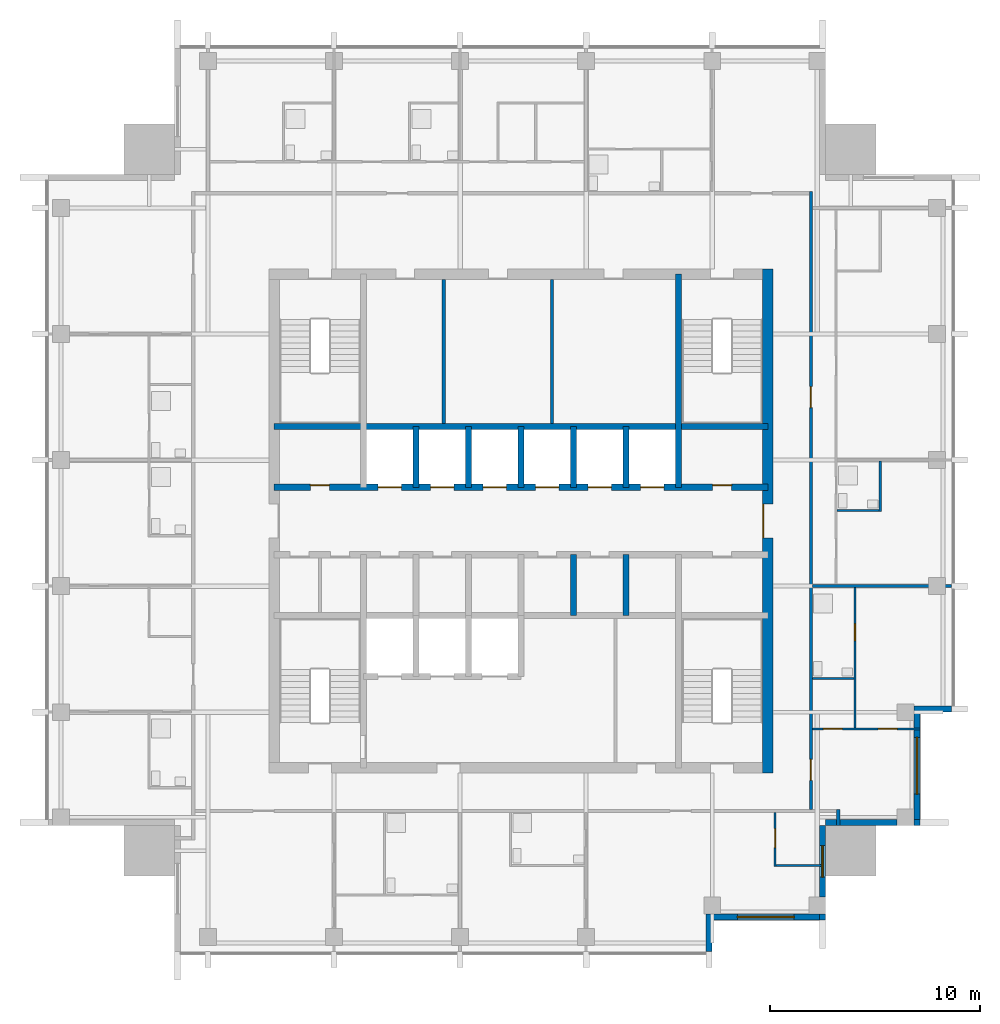
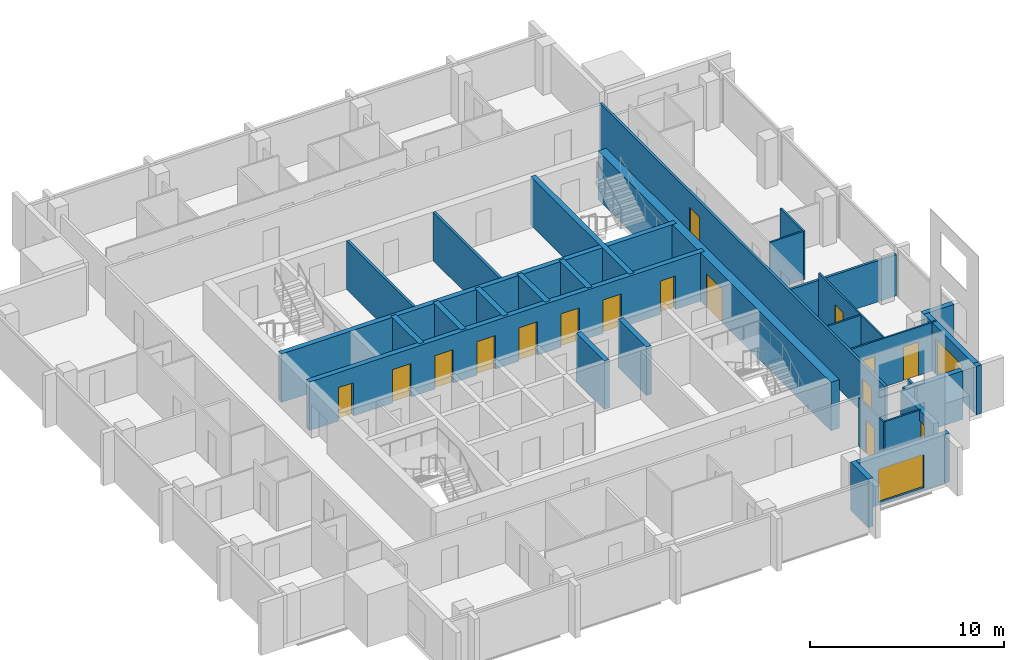
# One storey, part 5 of 9: 31 walls, 15 doors, 3 windows, 18 openings.
"""IFC4 building model written with IfcOpenShell, lengths in metres."""

import ifcopenshell
import ifcopenshell.guid

model = None  # the IFC model being written
_history = None  # IfcOwnerHistory: only IFC2X3 demands one
_inside = {}  # id of a spatial element -> (the spatial element, [elements in it])
_under = {}  # id of a project, library or spatial element -> (it, [spatial elements below it])
_declared = {}  # id of a project -> (the project, [libraries it declares])
_typed = {}  # id of a type object -> (the type object, [elements of that type])
_made_of = {}  # id of a material, layer set ... -> (it, [elements and type objects made of it])


def new_model(schema):
    """Start an empty IFC model of exactly this schema.

    Asked for "IFC4X3", IfcOpenShell would pick the latest addendum, in which some entities
    have other attributes; the version numbers below select the first issue.
    IFC2X3 requires an IfcOwnerHistory on every rooted entity: one is made here for all.
    """
    global model, _history
    if schema == "IFC4X3":
        model = ifcopenshell.file(schema_version=(4, 3, 0, 0))
    else:
        model = ifcopenshell.file(schema=schema)
    _inside.clear()
    _under.clear()
    _declared.clear()
    _typed.clear()
    _made_of.clear()
    _history = None
    if model.schema == "IFC2X3":
        org = make("IfcOrganization", Name="unknown")
        user = make(
            "IfcPersonAndOrganization",
            ThePerson=make("IfcPerson", FamilyName="unknown"),
            TheOrganization=org,
        )
        app = make(
            "IfcApplication",
            ApplicationDeveloper=org,
            Version="unknown",
            ApplicationFullName="unknown",
            ApplicationIdentifier="unknown",
        )
        _history = make(
            "IfcOwnerHistory",
            OwningUser=user,
            OwningApplication=app,
            ChangeAction="ADDED",
            CreationDate=0,
        )
    return model


def make(cls, **values):
    """One entity of the class cls with the attributes given. An attribute that is None is left unset."""
    return model.create_entity(
        cls, **{name: value for name, value in values.items() if value is not None}
    )


def rooted(cls, **values):
    """An entity with a GlobalId (a new one), such as an element, a storey or a relation."""
    return make(cls, GlobalId=ifcopenshell.guid.new(), OwnerHistory=_history, **values)


def si_unit(unit_type, name, prefix=None):
    """IfcSIUnit, for example si_unit("LENGTHUNIT", "METRE", prefix="MILLI")."""
    return make("IfcSIUnit", UnitType=unit_type, Prefix=prefix, Name=name)


def assignment(units):
    """IfcUnitAssignment: the units of a project."""
    return None if units is None else make("IfcUnitAssignment", Units=units)


def point(xyz):
    """IfcCartesianPoint."""
    return None if xyz is None else make("IfcCartesianPoint", Coordinates=xyz)


def direction(xyz):
    """IfcDirection."""
    return None if xyz is None else make("IfcDirection", DirectionRatios=xyz)


def frame(location, z_axis=None, x_axis=None):
    """IfcAxis2Placement3D, a coordinate frame: its origin and axes. An axis left out is left unset."""
    return make(
        "IfcAxis2Placement3D",
        Location=point(location),
        Axis=direction(z_axis),
        RefDirection=direction(x_axis),
    )


def frame_2d(location, x_axis=None):
    """IfcAxis2Placement2D, a coordinate frame in the plane: its origin and x axis."""
    return make(
        "IfcAxis2Placement2D", Location=point(location), RefDirection=direction(x_axis)
    )


def origin():
    """The frame at (0, 0, 0) with its axes left unset."""
    return frame((0.0, 0.0, 0.0))


def place(relative_to, where):
    """IfcLocalPlacement: puts the frame where relative to a parent placement (None: the world)."""
    return make(
        "IfcLocalPlacement", PlacementRelTo=relative_to, RelativePlacement=where
    )


def context(
    kind, dimensions, precision=None, world=None, true_north=None, identifier=None
):
    """IfcGeometricRepresentationContext, for example the 3D "Model" context."""
    return make(
        "IfcGeometricRepresentationContext",
        ContextIdentifier=identifier,
        ContextType=kind,
        CoordinateSpaceDimension=dimensions,
        Precision=precision,
        WorldCoordinateSystem=world,
        TrueNorth=true_north,
    )


def subcontext(parent, identifier, kind, view, scale=None):
    """IfcGeometricRepresentationSubContext, for example "Body" below "Model"."""
    return make(
        "IfcGeometricRepresentationSubContext",
        ContextIdentifier=identifier,
        ContextType=kind,
        ParentContext=parent,
        TargetScale=scale,
        TargetView=view,
    )


def project(units=None, contexts=None):
    """IfcProject with its units and contexts."""
    return rooted(
        "IfcProject",
        Name="project",
        RepresentationContexts=contexts,
        UnitsInContext=assignment(units),
    )


def spatial(cls, under=None, at=None, **own):
    """A site, building, storey or space (cls), placed at a placement, below another one or the project."""
    s = rooted(cls, ObjectPlacement=at, **own)
    if under is not None:
        _under.setdefault(under.id(), (under, []))[1].append(s)
    return s


def profile(cls, at=None, kind="AREA", **sizes):
    """A parametric profile (cls). Its sizes go by their IFC names, for example OverallWidth=200.0."""
    return make(cls, ProfileType=kind, Position=at, **sizes)


def rectangle(**sizes):
    """IfcRectangleProfileDef."""
    return profile("IfcRectangleProfileDef", **sizes)


def extrude(swept, where, along, depth):
    """IfcExtrudedAreaSolid: the profile swept, set in the frame where, extruded along a direction by depth."""
    return make(
        "IfcExtrudedAreaSolid",
        SweptArea=swept,
        Position=where,
        ExtrudedDirection=direction(along),
        Depth=depth,
    )


def shape(context_of_items, identifier, shape_type, items):
    """IfcShapeRepresentation: the items that make up one representation, for example the "Body"."""
    return make(
        "IfcShapeRepresentation",
        ContextOfItems=context_of_items,
        RepresentationIdentifier=identifier,
        RepresentationType=shape_type,
        Items=items,
    )


def material(Name=None, Category=None):
    """IfcMaterial."""
    return make("IfcMaterial", Name=Name, Category=Category)


def layer(
    of_material, thickness, ventilated=None, Name=None, Category=None, Priority=None
):
    """IfcMaterialLayer: one layer of a wall or slab, of a material (None: an air gap)."""
    return make(
        "IfcMaterialLayer",
        Material=of_material,
        LayerThickness=thickness,
        IsVentilated=ventilated,
        Name=Name,
        Category=Category,
        Priority=Priority,
    )


def layer_set(layers, Name=None):
    """IfcMaterialLayerSet."""
    return make("IfcMaterialLayerSet", MaterialLayers=layers, LayerSetName=Name)


def made_of(thing, what):
    """Note that an element or type object is made of a material, layer set ...; save() writes the relation."""
    if what is not None:
        _made_of.setdefault(what.id(), (what, []))[1].append(thing)
    return thing


def type_object(cls, material=None, **own):
    """A type object (cls), such as IfcWallType, which elements share."""
    return made_of(rooted(cls, **own), material)


def element(
    cls,
    number,
    at=None,
    inside=None,
    cuts=None,
    type_object=None,
    material=None,
    context=None,
    identifier="Body",
    shape_type=None,
    held_by="IfcProductDefinitionShape",
    body=None,
    shapes=None,
    **own,
):
    """One element of the class cls, such as IfcWall. Its Tag is "e" and its number.

    at: its placement. inside: the storey or other place that contains it. cuts: it is an
    opening in that element (IfcRelVoidsElement). A single representation is given by context,
    identifier, shape_type and body (its items); several are given by shapes. held_by: the class
    of the entity that holds the representations. save() writes the other relations.
    """
    e = rooted(cls, Tag="e%d" % number, ObjectPlacement=at, **own)
    if body is not None:
        shapes = [shape(context, identifier, shape_type, body)]
    if shapes is not None:
        e.Representation = make(held_by, Representations=shapes)
    if inside is not None:
        _inside.setdefault(inside.id(), (inside, []))[1].append(e)
    if cuts is not None:
        rooted(
            "IfcRelVoidsElement", RelatingBuildingElement=cuts, RelatedOpeningElement=e
        )
    if type_object is not None:
        _typed.setdefault(type_object.id(), (type_object, []))[1].append(e)
    return made_of(e, material)


def fill(opening, filler):
    """IfcRelFillsElement: the door or window that sits in an opening."""
    return rooted(
        "IfcRelFillsElement",
        RelatingOpeningElement=opening,
        RelatedBuildingElement=filler,
    )


def aggregate(whole, parts):
    """IfcRelAggregates: a whole, such as a stair, and the parts it consists of."""
    return rooted("IfcRelAggregates", RelatingObject=whole, RelatedObjects=parts)


def save(model, path):
    """Write the relations noted so far, then the file.

    IfcRelAggregates (storeys below a building ...), IfcRelContainedInSpatialStructure (elements
    in a storey), IfcRelDefinesByType, IfcRelAssociatesMaterial and IfcRelDeclares: one each for
    every whole, place, type object, material and project.
    """
    for whole, parts in _under.values():
        aggregate(whole, parts)
    for where, things in _inside.values():
        rooted(
            "IfcRelContainedInSpatialStructure",
            RelatedElements=things,
            RelatingStructure=where,
        )
    for kind, things in _typed.values():
        rooted("IfcRelDefinesByType", RelatedObjects=things, RelatingType=kind)
    for what, things in _made_of.values():
        rooted("IfcRelAssociatesMaterial", RelatedObjects=things, RelatingMaterial=what)
    for by, libraries in _declared.values():
        rooted("IfcRelDeclares", RelatingContext=by, RelatedDefinitions=libraries)
    model.write(path)


model = new_model("IFC4")

# Units and contexts
model_context = context("Model", 3, precision=1e-05, world=origin(), true_north=direction((0.0, 1.0)))
body_context = subcontext(model_context, "Body", "Model", "MODEL_VIEW")
ifc_project = project(units=[si_unit("LENGTHUNIT", "METRE"), si_unit("AREAUNIT", "SQUARE_METRE"), si_unit("VOLUMEUNIT", "CUBIC_METRE"), si_unit("PLANEANGLEUNIT", "RADIAN"), si_unit("MASSUNIT", "GRAM", prefix="KILO")], contexts=[model_context])

# Site, building, storey
site_placement = place(None, origin())
site = spatial("IfcSite", under=ifc_project, at=site_placement, CompositionType="ELEMENT")
building_placement = place(site_placement, origin())
building = spatial("IfcBuilding", under=site, at=building_placement, Name="Amberfall Residences", CompositionType="ELEMENT")
storey_placement = place(building_placement, frame((0.0, 0.0, 248.800048828125)))
storey = spatial("IfcBuildingStorey", under=building, at=storey_placement, Name="L66", CompositionType="ELEMENT", Elevation=248.800048828125)

# Walls
ifc_material_1 = material(Name="Pale stone cladding on insulated backing", Category="masonry")
ifc_layer_1 = layer(ifc_material_1, 0.300048828125)
ifc_layer_set_1 = layer_set([ifc_layer_1], Name="Bronze clad wall 300")
wall_type_1 = type_object("IfcWallType", Name="Bronze clad wall 300", PredefinedType="SOLIDWALL", material=ifc_layer_set_1)
wall_1_placement = place(storey_placement, frame((83.449951171875, 25.0, 0.0), z_axis=(0.0, 0.0, 1.0), x_axis=(0.0, 1.0, 0.0)))
element("IfcWall", 1, at=wall_1_placement, inside=storey, type_object=wall_type_1, Name="External wall L66 S", PredefinedType="SOLIDWALL", context=body_context, shape_type="SweptSolid", body=[
    extrude(rectangle(XDim=1.800048828125, YDim=0.300048828125, at=frame_2d((0.89990234375, 0.0))), origin(), (0.0, 0.0, 1.0), 3.050048828125),
])
wall_2_placement = place(storey_placement, frame((88.85009765625, 26.5, 0.0), z_axis=(0.0, 0.0, 1.0), x_axis=(0.0, 1.0, 0.0)))
element("IfcWall", 2, at=wall_2_placement, inside=storey, type_object=wall_type_1, Name="External wall L66 SE", PredefinedType="SOLIDWALL", context=body_context, shape_type="SweptSolid", body=[
    extrude(rectangle(XDim=0.300048828125, YDim=0.300048828125, at=frame_2d((0.14990234375, 0.0))), origin(), (0.0, 0.0, 1.0), 3.050048828125),
])

# Wall, opening, window
wall_3_placement = place(storey_placement, frame((88.85009765625, 27.60009765625, 0.0), z_axis=(0.0, 0.0, 1.0), x_axis=(0.0, 1.0, 0.0)))
wall_3 = element("IfcWall", 3, at=wall_3_placement, inside=storey, type_object=wall_type_1, Name="External wall L66 SE", PredefinedType="SOLIDWALL", context=body_context, shape_type="SweptSolid", body=[
    extrude(rectangle(XDim=3.39990234375, YDim=0.300048828125, at=frame_2d((1.699951171875, 0.0))), origin(), (0.0, 0.0, 1.0), 3.050048828125),
])
opening_1_placement = place(wall_3_placement, frame((0.949951171875, 0.0, 0.89990234375)))
opening_1 = element("IfcOpeningElement", 4, at=opening_1_placement, cuts=wall_3, Name="Opening WN1", PredefinedType="OPENING", context=body_context, shape_type="SweptSolid", body=[
    extrude(rectangle(XDim=1.5, YDim=1.5, at=frame_2d((0.75, 0.75))), frame((0.0, 0.159912109375, 0.0), z_axis=(0.0, -1.0, 0.0), x_axis=(1.0, 0.0, 0.0)), (0.0, 0.0, 1.0), 0.320068359375),
])
ifc_material_2 = material(Name="Bronze aluminium framed glazing", Category="aluminium")
window_type_1 = type_object("IfcWindowType", Name="Window 1500 x 1500 bronze", PartitioningType="DOUBLE_PANEL_VERTICAL", PredefinedType="WINDOW", material=ifc_material_2)
window_1_placement = place(opening_1_placement, origin())
window_1 = element("IfcWindow", 5, at=window_1_placement, inside=storey, type_object=window_type_1, Name="Window L66 SE", OverallHeight=1.5, OverallWidth=1.5, PartitioningType="DOUBLE_PANEL_VERTICAL", PredefinedType="WINDOW", context=body_context, shape_type="SweptSolid", body=[
    extrude(rectangle(XDim=1.5, YDim=1.5, at=frame_2d((0.75, 0.75))), frame((0.0, 0.030029296875, 0.0), z_axis=(0.0, -1.0, 0.0), x_axis=(1.0, 0.0, 0.0)), (0.0, 0.0, 1.0), 0.06005859375),
])
fill(opening_1, window_1)

# Walls
wall_4_placement = place(storey_placement, frame((89.0, 31.14990234375, 0.0), z_axis=(0.0, 0.0, 1.0), x_axis=(1.0, 0.0, 0.0)))
element("IfcWall", 6, at=wall_4_placement, inside=storey, type_object=wall_type_1, Name="External wall L66 SE", PredefinedType="SOLIDWALL", context=body_context, shape_type="SweptSolid", body=[
    extrude(rectangle(XDim=3.39990234375, YDim=0.300048828125, at=frame_2d((1.699951171875, 0.0))), origin(), (0.0, 0.0, 1.0), 3.050048828125),
])
wall_5_placement = place(storey_placement, frame((93.199951171875, 31.14990234375, 0.0), z_axis=(0.0, 0.0, 1.0), x_axis=(1.0, 0.0, 0.0)))
element("IfcWall", 7, at=wall_5_placement, inside=storey, type_object=wall_type_1, Name="External wall L66 SE", PredefinedType="SOLIDWALL", context=body_context, shape_type="SweptSolid", body=[
    extrude(rectangle(XDim=0.300048828125, YDim=0.300048828125, at=frame_2d((0.14990234375, 0.0))), origin(), (0.0, 0.0, 1.0), 3.050048828125),
])
wall_6_placement = place(storey_placement, frame((93.199951171875, 36.550048828125, 0.0), z_axis=(0.0, 0.0, 1.0), x_axis=(1.0, 0.0, 0.0)))
element("IfcWall", 8, at=wall_6_placement, inside=storey, type_object=wall_type_1, Name="External wall L66 E", PredefinedType="SOLIDWALL", context=body_context, shape_type="SweptSolid", body=[
    extrude(rectangle(XDim=1.800048828125, YDim=0.300048828125, at=frame_2d((0.89990234375, 0.0))), origin(), (0.0, 0.0, 1.0), 3.050048828125),
])

# Wall, opening, window
wall_7_placement = place(storey_placement, frame((83.60009765625, 26.64990234375, 0.0), z_axis=(0.0, 0.0, 1.0), x_axis=(1.0, 0.0, 0.0)))
wall_7 = element("IfcWall", 9, at=wall_7_placement, inside=storey, type_object=wall_type_1, Name="Stone wall L66 S", PredefinedType="SOLIDWALL", context=body_context, shape_type="SweptSolid", body=[
    extrude(rectangle(XDim=5.099853515625, YDim=0.300048828125, at=frame_2d((2.5498046875, 0.0))), origin(), (0.0, 0.0, 1.0), 3.050048828125),
])
opening_2_placement = place(wall_7_placement, frame((1.199951171875, 0.0, 0.14990234375)))
opening_2 = element("IfcOpeningElement", 10, at=opening_2_placement, cuts=wall_7, Name="Opening WN4", PredefinedType="OPENING", context=body_context, shape_type="SweptSolid", body=[
    extrude(rectangle(XDim=2.699951171875, YDim=2.10009765625, at=frame_2d((1.35009765625, 1.050048828125))), frame((0.0, 0.159912109375, 0.0), z_axis=(0.0, -1.0, 0.0), x_axis=(1.0, 0.0, 0.0)), (0.0, 0.0, 1.0), 0.320068359375),
])
window_type_2 = type_object("IfcWindowType", Name="Glazed opening 2700 x 2100 bronze", PartitioningType="DOUBLE_PANEL_VERTICAL", PredefinedType="WINDOW", material=ifc_material_2)
window_2_placement = place(opening_2_placement, origin())
window_2 = element("IfcWindow", 11, at=window_2_placement, inside=storey, type_object=window_type_2, Name="Window L66 S", OverallHeight=2.10009765625, OverallWidth=2.699951171875, PartitioningType="DOUBLE_PANEL_VERTICAL", PredefinedType="WINDOW", context=body_context, shape_type="SweptSolid", body=[
    extrude(rectangle(XDim=2.699951171875, YDim=2.10009765625, at=frame_2d((1.35009765625, 1.050048828125))), frame((0.0, 0.030029296875, 0.0), z_axis=(0.0, -1.0, 0.0), x_axis=(1.0, 0.0, 0.0)), (0.0, 0.0, 1.0), 0.06005859375),
])
fill(opening_2, window_2)

wall_8_placement = place(storey_placement, frame((93.35009765625, 31.300048828125, 0.0), z_axis=(0.0, 0.0, 1.0), x_axis=(0.0, 1.0, 0.0)))
wall_8 = element("IfcWall", 12, at=wall_8_placement, inside=storey, type_object=wall_type_1, Name="Stone wall L66 E", PredefinedType="SOLIDWALL", context=body_context, shape_type="SweptSolid", body=[
    extrude(rectangle(XDim=5.099853515625, YDim=0.300048828125, at=frame_2d((2.5498046875, 0.0))), origin(), (0.0, 0.0, 1.0), 3.050048828125),
])
opening_3_placement = place(wall_8_placement, frame((1.199951171875, 0.0, 0.14990234375)))
opening_3 = element("IfcOpeningElement", 13, at=opening_3_placement, cuts=wall_8, Name="Opening WN4", PredefinedType="OPENING", context=body_context, shape_type="SweptSolid", body=[
    extrude(rectangle(XDim=2.699951171875, YDim=2.10009765625, at=frame_2d((1.35009765625, 1.050048828125))), frame((0.0, 0.159912109375, 0.0), z_axis=(0.0, -1.0, 0.0), x_axis=(1.0, 0.0, 0.0)), (0.0, 0.0, 1.0), 0.320068359375),
])
window_3_placement = place(opening_3_placement, origin())
window_3 = element("IfcWindow", 14, at=window_3_placement, inside=storey, type_object=window_type_2, Name="Window L66 E", OverallHeight=2.10009765625, OverallWidth=2.699951171875, PartitioningType="DOUBLE_PANEL_VERTICAL", PredefinedType="WINDOW", context=body_context, shape_type="SweptSolid", body=[
    extrude(rectangle(XDim=2.699951171875, YDim=2.10009765625, at=frame_2d((1.35009765625, 1.050048828125))), frame((0.0, 0.030029296875, 0.0), z_axis=(0.0, -1.0, 0.0), x_axis=(1.0, 0.0, 0.0)), (0.0, 0.0, 1.0), 0.06005859375),
])
fill(opening_3, window_3)

# Wall, openings, doors
ifc_material_3 = material(Name="Concrete C50", Category="concrete")
ifc_layer_2 = layer(ifc_material_3, 0.300048828125)
ifc_layer_set_2 = layer_set([ifc_layer_2], Name="Core wall 300 C50")
wall_type_2 = type_object("IfcWallType", Name="Core wall 300 C50", PredefinedType="SHEAR", material=ifc_layer_set_2)
wall_9_placement = place(storey_placement, frame((62.75, 47.10009765625, 0.0), z_axis=(0.0, 0.0, 1.0), x_axis=(1.0, 0.0, 0.0)))
wall_9 = element("IfcWall", 15, at=wall_9_placement, inside=storey, type_object=wall_type_2, Name="Core wall RW10 L66 H136", PredefinedType="SHEAR", context=body_context, shape_type="SweptSolid", body=[
    extrude(rectangle(XDim=23.5, YDim=0.300048828125, at=frame_2d((11.75, 0.0))), origin(), (0.0, 0.0, 1.0), 3.050048828125),
])
opening_4_placement = place(wall_9_placement, frame((1.72509765625, 0.0, 0.0)))
opening_4 = element("IfcOpeningElement", 16, at=opening_4_placement, cuts=wall_9, Name="Opening RD1", PredefinedType="OPENING", context=body_context, shape_type="SweptSolid", body=[
    extrude(rectangle(XDim=0.89990234375, YDim=2.10009765625, at=frame_2d((0.449951171875, 1.050048828125))), frame((0.0, 0.159912109375, 0.0), z_axis=(0.0, -1.0, 0.0), x_axis=(1.0, 0.0, 0.0)), (0.0, 0.0, 1.0), 0.320068359375),
])
opening_5_placement = place(wall_9_placement, frame((20.875, 0.0, 0.0)))
opening_5 = element("IfcOpeningElement", 17, at=opening_5_placement, cuts=wall_9, Name="Opening RD1", PredefinedType="OPENING", context=body_context, shape_type="SweptSolid", body=[
    extrude(rectangle(XDim=0.89990234375, YDim=2.10009765625, at=frame_2d((0.449951171875, 1.050048828125))), frame((0.0, 0.159912109375, 0.0), z_axis=(0.0, -1.0, 0.0), x_axis=(1.0, 0.0, 0.0)), (0.0, 0.0, 1.0), 0.320068359375),
])
opening_6_placement = place(wall_9_placement, frame((4.949951171875, 0.0, 0.0)))
opening_6 = element("IfcOpeningElement", 18, at=opening_6_placement, cuts=wall_9, Name="Opening LD1", PredefinedType="OPENING", context=body_context, shape_type="SweptSolid", body=[
    extrude(rectangle(XDim=1.10009765625, YDim=2.10009765625, at=frame_2d((0.550048828125, 1.050048828125))), frame((0.0, 0.159912109375, 0.0), z_axis=(0.0, -1.0, 0.0), x_axis=(1.0, 0.0, 0.0)), (0.0, 0.0, 1.0), 0.320068359375),
])
opening_7_placement = place(wall_9_placement, frame((7.449951171875, 0.0, 0.0)))
opening_7 = element("IfcOpeningElement", 19, at=opening_7_placement, cuts=wall_9, Name="Opening LD1", PredefinedType="OPENING", context=body_context, shape_type="SweptSolid", body=[
    extrude(rectangle(XDim=1.10009765625, YDim=2.10009765625, at=frame_2d((0.550048828125, 1.050048828125))), frame((0.0, 0.159912109375, 0.0), z_axis=(0.0, -1.0, 0.0), x_axis=(1.0, 0.0, 0.0)), (0.0, 0.0, 1.0), 0.320068359375),
])
opening_8_placement = place(wall_9_placement, frame((9.949951171875, 0.0, 0.0)))
opening_8 = element("IfcOpeningElement", 20, at=opening_8_placement, cuts=wall_9, Name="Opening LD1", PredefinedType="OPENING", context=body_context, shape_type="SweptSolid", body=[
    extrude(rectangle(XDim=1.10009765625, YDim=2.10009765625, at=frame_2d((0.550048828125, 1.050048828125))), frame((0.0, 0.159912109375, 0.0), z_axis=(0.0, -1.0, 0.0), x_axis=(1.0, 0.0, 0.0)), (0.0, 0.0, 1.0), 0.320068359375),
])
opening_9_placement = place(wall_9_placement, frame((12.449951171875, 0.0, 0.0)))
opening_9 = element("IfcOpeningElement", 21, at=opening_9_placement, cuts=wall_9, Name="Opening LD1", PredefinedType="OPENING", context=body_context, shape_type="SweptSolid", body=[
    extrude(rectangle(XDim=1.10009765625, YDim=2.10009765625, at=frame_2d((0.550048828125, 1.050048828125))), frame((0.0, 0.159912109375, 0.0), z_axis=(0.0, -1.0, 0.0), x_axis=(1.0, 0.0, 0.0)), (0.0, 0.0, 1.0), 0.320068359375),
])
opening_10_placement = place(wall_9_placement, frame((14.949951171875, 0.0, 0.0)))
opening_10 = element("IfcOpeningElement", 22, at=opening_10_placement, cuts=wall_9, Name="Opening LD1", PredefinedType="OPENING", context=body_context, shape_type="SweptSolid", body=[
    extrude(rectangle(XDim=1.10009765625, YDim=2.10009765625, at=frame_2d((0.550048828125, 1.050048828125))), frame((0.0, 0.159912109375, 0.0), z_axis=(0.0, -1.0, 0.0), x_axis=(1.0, 0.0, 0.0)), (0.0, 0.0, 1.0), 0.320068359375),
])
opening_11_placement = place(wall_9_placement, frame((17.449951171875, 0.0, 0.0)))
opening_11 = element("IfcOpeningElement", 23, at=opening_11_placement, cuts=wall_9, Name="Opening LD1", PredefinedType="OPENING", context=body_context, shape_type="SweptSolid", body=[
    extrude(rectangle(XDim=1.10009765625, YDim=2.10009765625, at=frame_2d((0.550048828125, 1.050048828125))), frame((0.0, 0.159912109375, 0.0), z_axis=(0.0, -1.0, 0.0), x_axis=(1.0, 0.0, 0.0)), (0.0, 0.0, 1.0), 0.320068359375),
])
ifc_material_4 = material(Name="Steel fire door set", Category="steel")
door_type_1 = type_object("IfcDoorType", Name="Lift landing door 1100 x 2100", OperationType="DOUBLE_DOOR_SLIDING", PredefinedType="DOOR", material=ifc_material_4)
door_1_placement = place(opening_6_placement, origin())
door_1 = element("IfcDoor", 24, at=door_1_placement, inside=storey, type_object=door_type_1, Name="Landing door HP1 L66", OperationType="DOUBLE_DOOR_SLIDING", OverallHeight=2.10009765625, OverallWidth=1.10009765625, PredefinedType="DOOR", context=body_context, shape_type="SweptSolid", body=[
    extrude(rectangle(XDim=1.10009765625, YDim=2.10009765625, at=frame_2d((0.550048828125, 1.050048828125))), frame((0.0, 0.02490234375, 0.0), z_axis=(0.0, -1.0, 0.0), x_axis=(1.0, 0.0, 0.0)), (0.0, 0.0, 1.0), 0.050048828125),
])
fill(opening_6, door_1)
door_2_placement = place(opening_7_placement, origin())
door_2 = element("IfcDoor", 25, at=door_2_placement, inside=storey, type_object=door_type_1, Name="Landing door HP2 L66", OperationType="DOUBLE_DOOR_SLIDING", OverallHeight=2.10009765625, OverallWidth=1.10009765625, PredefinedType="DOOR", context=body_context, shape_type="SweptSolid", body=[
    extrude(rectangle(XDim=1.10009765625, YDim=2.10009765625, at=frame_2d((0.550048828125, 1.050048828125))), frame((0.0, 0.02490234375, 0.0), z_axis=(0.0, -1.0, 0.0), x_axis=(1.0, 0.0, 0.0)), (0.0, 0.0, 1.0), 0.050048828125),
])
fill(opening_7, door_2)
door_3_placement = place(opening_8_placement, origin())
door_3 = element("IfcDoor", 26, at=door_3_placement, inside=storey, type_object=door_type_1, Name="Landing door HP3 L66", OperationType="DOUBLE_DOOR_SLIDING", OverallHeight=2.10009765625, OverallWidth=1.10009765625, PredefinedType="DOOR", context=body_context, shape_type="SweptSolid", body=[
    extrude(rectangle(XDim=1.10009765625, YDim=2.10009765625, at=frame_2d((0.550048828125, 1.050048828125))), frame((0.0, 0.02490234375, 0.0), z_axis=(0.0, -1.0, 0.0), x_axis=(1.0, 0.0, 0.0)), (0.0, 0.0, 1.0), 0.050048828125),
])
fill(opening_8, door_3)
door_4_placement = place(opening_9_placement, origin())
door_4 = element("IfcDoor", 27, at=door_4_placement, inside=storey, type_object=door_type_1, Name="Landing door HP4 L66", OperationType="DOUBLE_DOOR_SLIDING", OverallHeight=2.10009765625, OverallWidth=1.10009765625, PredefinedType="DOOR", context=body_context, shape_type="SweptSolid", body=[
    extrude(rectangle(XDim=1.10009765625, YDim=2.10009765625, at=frame_2d((0.550048828125, 1.050048828125))), frame((0.0, 0.02490234375, 0.0), z_axis=(0.0, -1.0, 0.0), x_axis=(1.0, 0.0, 0.0)), (0.0, 0.0, 1.0), 0.050048828125),
])
fill(opening_9, door_4)
door_5_placement = place(opening_10_placement, origin())
door_5 = element("IfcDoor", 28, at=door_5_placement, inside=storey, type_object=door_type_1, Name="Landing door HP5 L66", OperationType="DOUBLE_DOOR_SLIDING", OverallHeight=2.10009765625, OverallWidth=1.10009765625, PredefinedType="DOOR", context=body_context, shape_type="SweptSolid", body=[
    extrude(rectangle(XDim=1.10009765625, YDim=2.10009765625, at=frame_2d((0.550048828125, 1.050048828125))), frame((0.0, 0.02490234375, 0.0), z_axis=(0.0, -1.0, 0.0), x_axis=(1.0, 0.0, 0.0)), (0.0, 0.0, 1.0), 0.050048828125),
])
fill(opening_10, door_5)
door_6_placement = place(opening_11_placement, origin())
door_6 = element("IfcDoor", 29, at=door_6_placement, inside=storey, type_object=door_type_1, Name="Landing door HP6 L66", OperationType="DOUBLE_DOOR_SLIDING", OverallHeight=2.10009765625, OverallWidth=1.10009765625, PredefinedType="DOOR", context=body_context, shape_type="SweptSolid", body=[
    extrude(rectangle(XDim=1.10009765625, YDim=2.10009765625, at=frame_2d((0.550048828125, 1.050048828125))), frame((0.0, 0.02490234375, 0.0), z_axis=(0.0, -1.0, 0.0), x_axis=(1.0, 0.0, 0.0)), (0.0, 0.0, 1.0), 0.050048828125),
])
fill(opening_11, door_6)
door_type_2 = type_object("IfcDoorType", Name="Service room door 900 x 2100", OperationType="SINGLE_SWING_LEFT", PredefinedType="DOOR", material=ifc_material_4)
door_7_placement = place(opening_4_placement, origin())
door_7 = element("IfcDoor", 30, at=door_7_placement, inside=storey, type_object=door_type_2, Name="RD1 L66", OperationType="SINGLE_SWING_LEFT", OverallHeight=2.10009765625, OverallWidth=0.89990234375, PredefinedType="DOOR", context=body_context, shape_type="SweptSolid", body=[
    extrude(rectangle(XDim=0.89990234375, YDim=2.10009765625, at=frame_2d((0.449951171875, 1.050048828125))), frame((0.0, 0.1376953125, 0.0), z_axis=(0.0, -1.0, 0.0), x_axis=(1.0, 0.0, 0.0)), (0.0, 0.0, 1.0), 0.050048828125),
])
fill(opening_4, door_7)
door_8_placement = place(opening_5_placement, origin())
door_8 = element("IfcDoor", 31, at=door_8_placement, inside=storey, type_object=door_type_2, Name="RD1 L66", OperationType="SINGLE_SWING_LEFT", OverallHeight=2.10009765625, OverallWidth=0.89990234375, PredefinedType="DOOR", context=body_context, shape_type="SweptSolid", body=[
    extrude(rectangle(XDim=0.89990234375, YDim=2.10009765625, at=frame_2d((0.449951171875, 1.050048828125))), frame((0.0, 0.1376953125, 0.0), z_axis=(0.0, -1.0, 0.0), x_axis=(1.0, 0.0, 0.0)), (0.0, 0.0, 1.0), 0.050048828125),
])
fill(opening_5, door_8)

# Walls
wall_10_placement = place(storey_placement, frame((62.75, 50.0, 0.0), z_axis=(0.0, 0.0, 1.0), x_axis=(1.0, 0.0, 0.0)))
element("IfcWall", 32, at=wall_10_placement, inside=storey, type_object=wall_type_2, Name="Core wall RW10 L66 H165", PredefinedType="SHEAR", context=body_context, shape_type="SweptSolid", body=[
    extrude(rectangle(XDim=23.5, YDim=0.300048828125, at=frame_2d((11.75, 0.0))), origin(), (0.0, 0.0, 1.0), 3.050048828125),
])
wall_11_placement = place(storey_placement, frame((82.0, 47.10009765625, 0.0), z_axis=(0.0, 0.0, 1.0), x_axis=(0.0, 1.0, 0.0)))
element("IfcWall", 33, at=wall_11_placement, inside=storey, type_object=wall_type_2, Name="Core wall RW10 L66 V195N", PredefinedType="SHEAR", context=body_context, shape_type="SweptSolid", body=[
    extrude(rectangle(XDim=10.14990234375, YDim=0.300048828125, at=frame_2d((5.074951171875, 0.0))), origin(), (0.0, 0.0, 1.0), 3.050048828125),
])
for number, where, z_axis, x_axis, name in (
    (34, (69.5, 47.10009765625, 0.0), (0.0, 0.0, 1.0), (0.0, 1.0, 0.0), "Core wall RW10 L66 HPD1"),
    (35, (72.0, 47.10009765625, 0.0), (0.0, 0.0, 1.0), (0.0, 1.0, 0.0), "Core wall RW10 L66 HPD2"),
    (36, (74.5, 47.10009765625, 0.0), (0.0, 0.0, 1.0), (0.0, 1.0, 0.0), "Core wall RW10 L66 HPD3"),
    (37, (77.0, 41.0, 0.0), (0.0, 0.0, 1.0), (0.0, 1.0, 0.0), "Core wall RW10 L66 LPD4"),
    (38, (77.0, 47.10009765625, 0.0), (0.0, 0.0, 1.0), (0.0, 1.0, 0.0), "Core wall RW10 L66 HPD4"),
    (39, (79.5, 41.0, 0.0), (0.0, 0.0, 1.0), (0.0, 1.0, 0.0), "Core wall RW10 L66 LPD5"),
    (40, (79.5, 47.10009765625, 0.0), (0.0, 0.0, 1.0), (0.0, 1.0, 0.0), "Core wall RW10 L66 HPD5"),
):
    element("IfcWall", number, at=place(storey_placement, frame(where, z_axis=z_axis, x_axis=x_axis)), inside=storey, type_object=wall_type_2, Name=name, PredefinedType="SHEAR", context=body_context, shape_type="SweptSolid", body=[
        extrude(rectangle(XDim=2.89990234375, YDim=0.300048828125, at=frame_2d((1.449951171875, 0.0))), origin(), (0.0, 0.0, 1.0), 3.050048828125),
    ])

# Wall, opening, door
ifc_layer_3 = layer(ifc_material_3, 0.5)
ifc_layer_set_3 = layer_set([ifc_layer_3], Name="Core wall 500 C50")
wall_type_3 = type_object("IfcWallType", Name="Core wall 500 C50", PredefinedType="SHEAR", material=ifc_layer_set_3)
wall_12_placement = place(storey_placement, frame((86.25, 33.5, 0.0), z_axis=(0.0, 0.0, 1.0), x_axis=(0.0, 1.0, 0.0)))
wall_12 = element("IfcWall", 41, at=wall_12_placement, inside=storey, type_object=wall_type_3, Name="Core wall RW9 L66 OE", PredefinedType="SHEAR", context=body_context, shape_type="SweptSolid", body=[
    extrude(rectangle(XDim=24.0, YDim=0.5, at=frame_2d((12.0, 0.0))), origin(), (0.0, 0.0, 1.0), 3.050048828125),
])
opening_12_placement = place(wall_12_placement, frame((11.199951171875, 0.0, 0.0)))
opening_12 = element("IfcOpeningElement", 42, at=opening_12_placement, cuts=wall_12, Name="Opening LB1", PredefinedType="OPENING", context=body_context, shape_type="SweptSolid", body=[
    extrude(rectangle(XDim=1.60009765625, YDim=2.10009765625, at=frame_2d((0.800048828125, 1.050048828125))), frame((0.0, 0.260009765625, 0.0), z_axis=(0.0, -1.0, 0.0), x_axis=(1.0, 0.0, 0.0)), (0.0, 0.0, 1.0), 0.52001953125),
])
door_type_3 = type_object("IfcDoorType", Name="Lift lobby double door 1600 x 2100", OperationType="DOUBLE_DOOR_SINGLE_SWING", PredefinedType="DOOR", material=ifc_material_4)
door_9_placement = place(opening_12_placement, origin())
door_9 = element("IfcDoor", 43, at=door_9_placement, inside=storey, type_object=door_type_3, Name="LB1 L66", OperationType="DOUBLE_DOOR_SINGLE_SWING", OverallHeight=2.10009765625, OverallWidth=1.60009765625, PredefinedType="DOOR", context=body_context, shape_type="SweptSolid", body=[
    extrude(rectangle(XDim=1.60009765625, YDim=2.10009765625, at=frame_2d((0.800048828125, 1.050048828125))), frame((0.0, 0.2373046875, 0.0), z_axis=(0.0, -1.0, 0.0), x_axis=(1.0, 0.0, 0.0)), (0.0, 0.0, 1.0), 0.050048828125),
])
fill(opening_12, door_9)

ifc_material_5 = material(Name="Gypsum board on metal stud")
ifc_layer_4 = layer(ifc_material_5, 0.10009765625)
ifc_layer_set_4 = layer_set([ifc_layer_4], Name="Flat partition 100")
wall_type_4 = type_object("IfcWallType", Name="Flat partition 100", PredefinedType="PARTITIONING", material=ifc_layer_set_4)
wall_13_placement = place(storey_placement, frame((86.60009765625, 31.625, 0.0), z_axis=(0.0, 0.0, 1.0), x_axis=(0.0, -1.0, 0.0)))
wall_13 = element("IfcWall", 44, at=wall_13_placement, inside=storey, type_object=wall_type_4, Name="Partition 016", PredefinedType="PARTITIONING", context=body_context, shape_type="SweptSolid", body=[
    extrude(rectangle(XDim=2.574951171875, YDim=0.10009765625, at=frame_2d((1.28759765625, 0.0))), origin(), (0.0, 0.0, 1.0), 3.050048828125),
])
opening_13_placement = place(wall_13_placement, frame((0.77490234375, 0.0, 0.0)))
opening_13 = element("IfcOpeningElement", 45, at=opening_13_placement, cuts=wall_13, Name="Opening D41", PredefinedType="OPENING", context=body_context, shape_type="SweptSolid", body=[
    extrude(rectangle(XDim=0.89990234375, YDim=2.10009765625, at=frame_2d((0.449951171875, 1.050048828125))), frame((0.0, 0.06005859375, 0.0), z_axis=(0.0, -1.0, 0.0), x_axis=(1.0, 0.0, 0.0)), (0.0, 0.0, 1.0), 0.1201171875),
])
ifc_material_6 = material(Name="Timber", Category="wood")
door_type_4 = type_object("IfcDoorType", Name="Internal door 900 x 2100", OperationType="SINGLE_SWING_LEFT", PredefinedType="DOOR", material=ifc_material_6)
door_10_placement = place(opening_13_placement, origin())
door_10 = element("IfcDoor", 46, at=door_10_placement, inside=storey, type_object=door_type_4, Name="Door 6602 kitchen", OperationType="SINGLE_SWING_LEFT", OverallHeight=2.10009765625, OverallWidth=0.89990234375, PredefinedType="DOOR", context=body_context, shape_type="SweptSolid", body=[
    extrude(rectangle(XDim=0.89990234375, YDim=2.10009765625, at=frame_2d((0.449951171875, 1.050048828125))), frame((0.0, 0.02490234375, 0.0), z_axis=(0.0, -1.0, 0.0), x_axis=(1.0, 0.0, 0.0)), (0.0, 0.0, 1.0), 0.050048828125),
])
fill(opening_13, door_10)

wall_14_placement = place(storey_placement, frame((90.39990234375, 35.64990234375, 0.0), z_axis=(0.0, 0.0, 1.0), x_axis=(0.0, 1.0, 0.0)))
wall_14 = element("IfcWall", 47, at=wall_14_placement, inside=storey, type_object=wall_type_4, Name="Partition 018", PredefinedType="PARTITIONING", context=body_context, shape_type="SweptSolid", body=[
    extrude(rectangle(XDim=6.675048828125, YDim=0.10009765625, at=frame_2d((3.33740234375, 0.0))), origin(), (0.0, 0.0, 1.0), 3.050048828125),
])
opening_14_placement = place(wall_14_placement, frame((4.14990234375, 0.0, 0.0)))
opening_14 = element("IfcOpeningElement", 48, at=opening_14_placement, cuts=wall_14, Name="Opening D42", PredefinedType="OPENING", context=body_context, shape_type="SweptSolid", body=[
    extrude(rectangle(XDim=0.800048828125, YDim=2.10009765625, at=frame_2d((0.39990234375, 1.050048828125))), frame((0.0, 0.06005859375, 0.0), z_axis=(0.0, -1.0, 0.0), x_axis=(1.0, 0.0, 0.0)), (0.0, 0.0, 1.0), 0.1201171875),
])
door_type_5 = type_object("IfcDoorType", Name="Bathroom door 800 x 2100", OperationType="SINGLE_SWING_LEFT", PredefinedType="DOOR", material=ifc_material_6)
door_11_placement = place(opening_14_placement, origin())
door_11 = element("IfcDoor", 49, at=door_11_placement, inside=storey, type_object=door_type_5, Name="Door 6603 bath1", OperationType="SINGLE_SWING_LEFT", OverallHeight=2.10009765625, OverallWidth=0.800048828125, PredefinedType="DOOR", context=body_context, shape_type="SweptSolid", body=[
    extrude(rectangle(XDim=0.800048828125, YDim=2.10009765625, at=frame_2d((0.39990234375, 1.050048828125))), frame((0.0, 0.02490234375, 0.0), z_axis=(0.0, -1.0, 0.0), x_axis=(1.0, 0.0, 0.0)), (0.0, 0.0, 1.0), 0.050048828125),
])
fill(opening_14, door_11)

# Walls
wall_15_placement = place(storey_placement, frame((91.60009765625, 45.949951171875, 0.0), z_axis=(0.0, 0.0, 1.0), x_axis=(0.0, 1.0, 0.0)))
element("IfcWall", 50, at=wall_15_placement, inside=storey, type_object=wall_type_4, Name="Partition 019", PredefinedType="PARTITIONING", context=body_context, shape_type="SweptSolid", body=[
    extrude(rectangle(XDim=2.400146484375, YDim=0.10009765625, at=frame_2d((1.2001953125, 0.0))), origin(), (0.0, 0.0, 1.0), 3.050048828125),
])
wall_16_placement = place(storey_placement, frame((89.550048828125, 46.0, 0.0), z_axis=(0.0, 0.0, 1.0), x_axis=(1.0, 0.0, 0.0)))
element("IfcWall", 51, at=wall_16_placement, inside=storey, type_object=wall_type_4, Name="Partition 030", PredefinedType="PARTITIONING", context=body_context, shape_type="SweptSolid", body=[
    extrude(rectangle(XDim=2.0, YDim=0.10009765625, at=frame_2d((1.0, 0.0))), origin(), (0.0, 0.0, 1.0), 3.050048828125),
])
wall_17_placement = place(storey_placement, frame((88.375, 38.0, 0.0), z_axis=(0.0, 0.0, 1.0), x_axis=(1.0, 0.0, 0.0)))
element("IfcWall", 52, at=wall_17_placement, inside=storey, type_object=wall_type_4, Name="Partition 034", PredefinedType="PARTITIONING", context=body_context, shape_type="SweptSolid", body=[
    extrude(rectangle(XDim=1.97509765625, YDim=0.10009765625, at=frame_2d((0.987548828125, 0.0))), origin(), (0.0, 0.0, 1.0), 3.050048828125),
])

# Wall, openings, doors
wall_18_placement = place(storey_placement, frame((88.375, 35.60009765625, 0.0), z_axis=(0.0, 0.0, 1.0), x_axis=(1.0, 0.0, 0.0)))
wall_18 = element("IfcWall", 53, at=wall_18_placement, inside=storey, type_object=wall_type_4, Name="Partition 036", PredefinedType="PARTITIONING", context=body_context, shape_type="SweptSolid", body=[
    extrude(rectangle(XDim=5.125, YDim=0.10009765625, at=frame_2d((2.5625, 0.0))), origin(), (0.0, 0.0, 1.0), 3.050048828125),
])
opening_15_placement = place(wall_18_placement, frame((0.52490234375, 0.0, 0.0)))
opening_15 = element("IfcOpeningElement", 54, at=opening_15_placement, cuts=wall_18, Name="Opening D41", PredefinedType="OPENING", context=body_context, shape_type="SweptSolid", body=[
    extrude(rectangle(XDim=0.89990234375, YDim=2.10009765625, at=frame_2d((0.449951171875, 1.050048828125))), frame((0.0, 0.06005859375, 0.0), z_axis=(0.0, -1.0, 0.0), x_axis=(1.0, 0.0, 0.0)), (0.0, 0.0, 1.0), 0.1201171875),
])
opening_16_placement = place(wall_18_placement, frame((3.125, 0.0, 0.0)))
opening_16 = element("IfcOpeningElement", 55, at=opening_16_placement, cuts=wall_18, Name="Opening D41", PredefinedType="OPENING", context=body_context, shape_type="SweptSolid", body=[
    extrude(rectangle(XDim=0.89990234375, YDim=2.10009765625, at=frame_2d((0.449951171875, 1.050048828125))), frame((0.0, 0.06005859375, 0.0), z_axis=(0.0, -1.0, 0.0), x_axis=(1.0, 0.0, 0.0)), (0.0, 0.0, 1.0), 0.1201171875),
])
door_12_placement = place(opening_15_placement, origin())
door_12 = element("IfcDoor", 56, at=door_12_placement, inside=storey, type_object=door_type_4, Name="Door 6603 kitchen", OperationType="SINGLE_SWING_LEFT", OverallHeight=2.10009765625, OverallWidth=0.89990234375, PredefinedType="DOOR", context=body_context, shape_type="SweptSolid", body=[
    extrude(rectangle(XDim=0.89990234375, YDim=2.10009765625, at=frame_2d((0.449951171875, 1.050048828125))), frame((0.0, 0.02490234375, 0.0), z_axis=(0.0, -1.0, 0.0), x_axis=(1.0, 0.0, 0.0)), (0.0, 0.0, 1.0), 0.050048828125),
])
fill(opening_15, door_12)
door_13_placement = place(opening_16_placement, origin())
door_13 = element("IfcDoor", 57, at=door_13_placement, inside=storey, type_object=door_type_4, Name="Door 6603 bedroom1", OperationType="SINGLE_SWING_LEFT", OverallHeight=2.10009765625, OverallWidth=0.89990234375, PredefinedType="DOOR", context=body_context, shape_type="SweptSolid", body=[
    extrude(rectangle(XDim=0.89990234375, YDim=2.10009765625, at=frame_2d((0.449951171875, 1.050048828125))), frame((0.0, 0.02490234375, 0.0), z_axis=(0.0, -1.0, 0.0), x_axis=(1.0, 0.0, 0.0)), (0.0, 0.0, 1.0), 0.050048828125),
])
fill(opening_16, door_13)

# Wall
wall_19_placement = place(storey_placement, frame((86.64990234375, 29.10009765625, 0.0), z_axis=(0.0, 0.0, 1.0), x_axis=(1.0, 0.0, 0.0)))
element("IfcWall", 58, at=wall_19_placement, inside=storey, type_object=wall_type_4, Name="Partition 039", PredefinedType="PARTITIONING", context=body_context, shape_type="SweptSolid", body=[
    extrude(rectangle(XDim=2.150146484375, YDim=0.10009765625, at=frame_2d((1.0751953125, 0.0))), origin(), (0.0, 0.0, 1.0), 3.050048828125),
])

# Wall, openings, doors
ifc_material_7 = material(Name="Blockwork, plastered", Category="masonry")
ifc_layer_5 = layer(ifc_material_7, 0.14990234375)
ifc_layer_set_5 = layer_set([ifc_layer_5], Name="Flat separating wall 150")
wall_type_5 = type_object("IfcWallType", Name="Flat separating wall 150", PredefinedType="PARTITIONING", material=ifc_layer_set_5)
wall_20_placement = place(storey_placement, frame((88.300048828125, 61.175048828125, 0.0), z_axis=(0.0, 0.0, 1.0), x_axis=(0.0, -1.0, 0.0)))
wall_20 = element("IfcWall", 59, at=wall_20_placement, inside=storey, type_object=wall_type_5, Name="Separating wall 045", PredefinedType="PARTITIONING", context=body_context, shape_type="SweptSolid", body=[
    extrude(rectangle(XDim=29.400146484375, YDim=0.14990234375, at=frame_2d((14.7001953125, 0.0))), origin(), (0.0, 0.0, 1.0), 3.050048828125),
])
opening_17_placement = place(wall_20_placement, frame((27.02490234375, 0.0, 0.0)))
opening_17 = element("IfcOpeningElement", 60, at=opening_17_placement, cuts=wall_20, Name="Opening D40", PredefinedType="OPENING", context=body_context, shape_type="SweptSolid", body=[
    extrude(rectangle(XDim=1.0, YDim=2.10009765625, at=frame_2d((0.5, 1.050048828125))), frame((0.0, 0.0849609375, 0.0), z_axis=(0.0, -1.0, 0.0), x_axis=(1.0, 0.0, 0.0)), (0.0, 0.0, 1.0), 0.169921875),
])
opening_18_placement = place(wall_20_placement, frame((9.27490234375, 0.0, 0.0)))
opening_18 = element("IfcOpeningElement", 61, at=opening_18_placement, cuts=wall_20, Name="Opening D40", PredefinedType="OPENING", context=body_context, shape_type="SweptSolid", body=[
    extrude(rectangle(XDim=1.0, YDim=2.10009765625, at=frame_2d((0.5, 1.050048828125))), frame((0.0, 0.0849609375, 0.0), z_axis=(0.0, -1.0, 0.0), x_axis=(1.0, 0.0, 0.0)), (0.0, 0.0, 1.0), 0.169921875),
])
ifc_material_8 = material(Name="Timber, fire-rated", Category="wood")
door_type_6 = type_object("IfcDoorType", Name="Flat entrance door FD60 1000 x 2100", OperationType="SINGLE_SWING_LEFT", PredefinedType="DOOR", material=ifc_material_8)
door_14_placement = place(opening_17_placement, origin())
door_14 = element("IfcDoor", 62, at=door_14_placement, inside=storey, type_object=door_type_6, Name="Door 6603 entrance", OperationType="SINGLE_SWING_LEFT", OverallHeight=2.10009765625, OverallWidth=1.0, PredefinedType="DOOR", context=body_context, shape_type="SweptSolid", body=[
    extrude(rectangle(XDim=1.0, YDim=2.10009765625, at=frame_2d((0.5, 1.050048828125))), frame((0.0, 0.02490234375, 0.0), z_axis=(0.0, -1.0, 0.0), x_axis=(1.0, 0.0, 0.0)), (0.0, 0.0, 1.0), 0.050048828125),
])
fill(opening_17, door_14)
door_15_placement = place(opening_18_placement, origin())
door_15 = element("IfcDoor", 63, at=door_15_placement, inside=storey, type_object=door_type_6, Name="Door 6604 entrance", OperationType="SINGLE_SWING_LEFT", OverallHeight=2.10009765625, OverallWidth=1.0, PredefinedType="DOOR", context=body_context, shape_type="SweptSolid", body=[
    extrude(rectangle(XDim=1.0, YDim=2.10009765625, at=frame_2d((0.5, 1.050048828125))), frame((0.0, 0.02490234375, 0.0), z_axis=(0.0, -1.0, 0.0), x_axis=(1.0, 0.0, 0.0)), (0.0, 0.0, 1.0), 0.050048828125),
])
fill(opening_18, door_15)

# Walls
wall_21_placement = place(storey_placement, frame((89.60009765625, 31.0, 0.0), z_axis=(0.0, 0.0, 1.0), x_axis=(0.0, 1.0, 0.0)))
element("IfcWall", 64, at=wall_21_placement, inside=storey, type_object=wall_type_5, Name="Separating wall 046", PredefinedType="PARTITIONING", context=body_context, shape_type="SweptSolid", body=[
    extrude(rectangle(XDim=0.77490234375, YDim=0.14990234375, at=frame_2d((0.387451171875, 0.0))), origin(), (0.0, 0.0, 1.0), 3.050048828125),
])
wall_22_placement = place(storey_placement, frame((88.375, 42.39990234375, 0.0), z_axis=(0.0, 0.0, 1.0), x_axis=(1.0, 0.0, 0.0)))
element("IfcWall", 65, at=wall_22_placement, inside=storey, type_object=wall_type_5, Name="Separating wall 050", PredefinedType="PARTITIONING", context=body_context, shape_type="SweptSolid", body=[
    extrude(rectangle(XDim=6.625, YDim=0.14990234375, at=frame_2d((3.3125, 0.0))), origin(), (0.0, 0.0, 1.0), 2.58984375),
])
ifc_material_9 = material(Name="Concrete blockwork", Category="masonry")
ifc_layer_6 = layer(ifc_material_9, 0.14990234375)
ifc_layer_set_6 = layer_set([ifc_layer_6], Name="Riser wall 150")
wall_type_6 = type_object("IfcWallType", Name="Riser wall 150", PredefinedType="PLUMBINGWALL", material=ifc_layer_set_6)
for number, where, z_axis, x_axis, name in (
    (66, (70.824951171875, 50.14990234375, 0.0), (0.0, 0.0, 1.0), (0.0, 1.0, 0.0), "L66 core wall N0"),
    (67, (75.969970703125, 50.14990234375, 0.0), (0.0, 0.0, 1.0), (0.0, 1.0, 0.0), "L66 core wall N1"),
):
    element("IfcWall", number, at=place(storey_placement, frame(where, z_axis=z_axis, x_axis=x_axis)), inside=storey, type_object=wall_type_6, Name=name, PredefinedType="PLUMBINGWALL", context=body_context, shape_type="SweptSolid", body=[
        extrude(rectangle(XDim=6.85009765625, YDim=0.14990234375, at=frame_2d((3.425048828125, 0.0))), origin(), (0.0, 0.0, 1.0), 3.050048828125),
    ])

save(model, "model.ifc")
